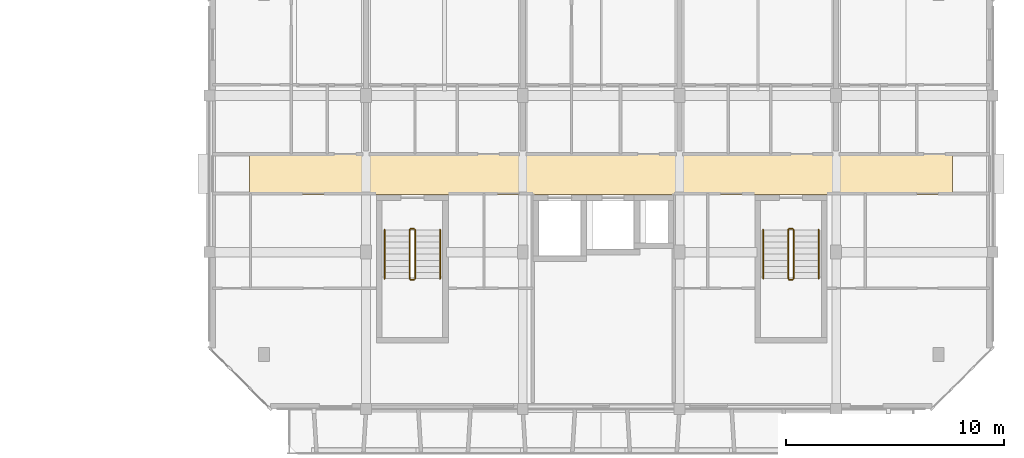
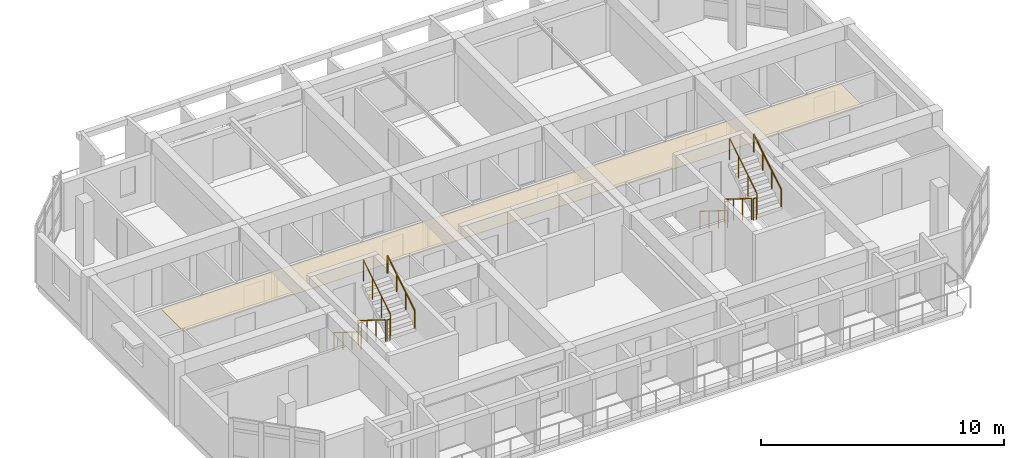
# One storey, part 43 of 44: 12 railings, 1 covering.
"""IFC4 building model written with IfcOpenShell, lengths in metres."""

from ifc_helpers import new_model, si_unit, direction, frame, origin, origin_2d, place, context, subcontext, project, spatial, polyline, circle, outline, extrude, material, layer, layer_set, type_object, element, save


model = new_model("IFC4")

# Units and contexts
model_context = context("Model", 3, precision=1e-05, world=origin(), true_north=direction((0.0, 1.0)))
body_context = subcontext(model_context, "Body", "Model", "MODEL_VIEW")
ifc_project = project(units=[si_unit("LENGTHUNIT", "METRE"), si_unit("AREAUNIT", "SQUARE_METRE"), si_unit("VOLUMEUNIT", "CUBIC_METRE"), si_unit("PLANEANGLEUNIT", "RADIAN"), si_unit("MASSUNIT", "GRAM", prefix="KILO")], contexts=[model_context])

# Site, building, storey
site_placement = place(None, origin())
site = spatial("IfcSite", under=ifc_project, at=site_placement, CompositionType="ELEMENT")
building_placement = place(site_placement, origin())
building = spatial("IfcBuilding", under=site, at=building_placement, Name="Ochrevale Crest", CompositionType="ELEMENT")
storey_placement = place(building_placement, frame((0.0, 0.0, 21.300048828125)))
storey = spatial("IfcBuildingStorey", under=building, at=storey_placement, Name="L06", CompositionType="ELEMENT", Elevation=21.300048828125)

# Covering
ifc_material_1 = material(Name="Gypsum plasterboard", Category="gypsum")
ifc_layer = layer(ifc_material_1, 0.02490234375)
ifc_layer_set = layer_set([ifc_layer], Name="Gypsum plasterboard")
covering_type = type_object("IfcCoveringType", Name="COV-CEIL-GYP", PredefinedType="CEILING", material=ifc_layer_set)
covering_placement = place(storey_placement, frame((0.0, 0.0, 2.280029296875)))
element("IfcCovering", 1, at=covering_placement, inside=storey, type_object=covering_type, Name="Block D L06 acoustic corridor ceiling", PredefinedType="CEILING", context=body_context, shape_type="SweptSolid", body=[
    extrude(outline(polyline([(131.449951171875, 81.860107421875), (163.75, 81.860107421875), (163.75, 83.739990234375), (131.449951171875, 83.739990234375), (131.449951171875, 81.860107421875)])), origin(), (0.0, 0.0, 1.0), 0.02490234375),
])

# Railings
ifc_material_2 = material(Name="Galvanised steel", Category="steel")
railing_type_1 = type_object("IfcRailingType", Name="RL-ST-GUARD", PredefinedType="BALUSTRADE", material=ifc_material_2)
railing_1_placement = place(storey_placement, frame((138.800048828125, 80.22509765625, 0.175048828125)))
element("IfcRailing", 2, at=railing_1_placement, inside=storey, type_object=railing_type_1, Name="L06 ST-D1 stair guard 1", PredefinedType="BALUSTRADE", context=body_context, shape_type="SweptSolid", body=[
    extrude(circle(Radius=0.02392578125, at=origin_2d()), frame((0.0, 0.0, 1.076171875), z_axis=(0.0, -0.848013881152, 0.529974015752), x_axis=(1.0, 0.0, 0.0)), (0.0, 0.0, 1.0), 2.641357421875),
    extrude(circle(Radius=0.02099609375, at=origin_2d()), origin(), (0.0, 0.0, 1.0), 1.052001953125),
    extrude(circle(Radius=0.02099609375, at=origin_2d()), frame((0.0, -0.74658203125, 0.466552734375)), (0.0, 0.0, 1.0), 1.052001953125),
    extrude(circle(Radius=0.02099609375, at=origin_2d()), frame((0.0, -1.493408203125, 0.933349609375)), (0.0, 0.0, 1.0), 1.052001953125),
    extrude(circle(Radius=0.02099609375, at=origin_2d()), frame((0.0, -2.239990234375, 1.39990234375)), (0.0, 0.0, 1.0), 1.052001953125),
])
railing_2_placement = place(storey_placement, frame((138.85009765625, 77.93505859375, 1.574951171875)))
element("IfcRailing", 3, at=railing_2_placement, inside=storey, type_object=railing_type_1, Name="L06 ST-D1 stair guard 2", PredefinedType="BALUSTRADE", context=body_context, shape_type="SweptSolid", body=[
    extrude(circle(Radius=0.02392578125, at=origin_2d()), frame((0.0, 0.0, 1.076171875), z_axis=(1.0, 0.0, 0.0), x_axis=(0.0, 1.0, 0.0)), (0.0, 0.0, 1.0), 0.14990234375),
    extrude(circle(Radius=0.02099609375, at=origin_2d()), origin(), (0.0, 0.0, 1.0), 1.052001953125),
    extrude(circle(Radius=0.02099609375, at=origin_2d()), frame((0.14990234375, 0.0, 0.0)), (0.0, 0.0, 1.0), 1.052001953125),
])
railing_3_placement = place(storey_placement, frame((139.050048828125, 77.985107421875, 1.75)))
element("IfcRailing", 4, at=railing_3_placement, inside=storey, type_object=railing_type_1, Name="L06 ST-D1 stair guard 3", PredefinedType="BALUSTRADE", context=body_context, shape_type="SweptSolid", body=[
    extrude(circle(Radius=0.02392578125, at=origin_2d()), frame((0.0, 0.0, 1.076171875), z_axis=(0.0, 0.848013881152, 0.529974015752), x_axis=(-1.0, 0.0, 0.0)), (0.0, 0.0, 1.0), 2.641357421875),
    extrude(circle(Radius=0.02099609375, at=origin_2d()), origin(), (0.0, 0.0, 1.0), 1.052001953125),
    extrude(circle(Radius=0.02099609375, at=origin_2d()), frame((0.0, 0.74658203125, 0.466552734375)), (0.0, 0.0, 1.0), 1.052001953125),
    extrude(circle(Radius=0.02099609375, at=origin_2d()), frame((0.0, 1.493408203125, 0.933349609375)), (0.0, 0.0, 1.0), 1.052001953125),
    extrude(circle(Radius=0.02099609375, at=origin_2d()), frame((0.0, 2.239990234375, 1.39990234375)), (0.0, 0.0, 1.0), 1.052001953125),
])
railing_4_placement = place(storey_placement, frame((138.85009765625, 80.27490234375, 0.0)))
element("IfcRailing", 5, at=railing_4_placement, inside=storey, type_object=railing_type_1, Name="L06 ST-D1 stair guard 4", PredefinedType="BALUSTRADE", context=body_context, shape_type="SweptSolid", body=[
    extrude(circle(Radius=0.02392578125, at=origin_2d()), frame((0.0, 0.0, 1.076171875), z_axis=(1.0, 0.0, 0.0), x_axis=(0.0, 1.0, 0.0)), (0.0, 0.0, 1.0), 0.14990234375),
    extrude(circle(Radius=0.02099609375, at=origin_2d()), origin(), (0.0, 0.0, 1.0), 1.052001953125),
    extrude(circle(Radius=0.02099609375, at=origin_2d()), frame((0.14990234375, 0.0, 0.0)), (0.0, 0.0, 1.0), 1.052001953125),
])
railing_5_placement = place(storey_placement, frame((156.199951171875, 80.22509765625, 0.175048828125)))
element("IfcRailing", 6, at=railing_5_placement, inside=storey, type_object=railing_type_1, Name="L06 ST-D2 stair guard 1", PredefinedType="BALUSTRADE", context=body_context, shape_type="SweptSolid", body=[
    extrude(circle(Radius=0.02392578125, at=origin_2d()), frame((0.0, 0.0, 1.076171875), z_axis=(0.0, -0.848013881152, 0.529974015752), x_axis=(1.0, 0.0, 0.0)), (0.0, 0.0, 1.0), 2.641357421875),
    extrude(circle(Radius=0.02099609375, at=origin_2d()), origin(), (0.0, 0.0, 1.0), 1.052001953125),
    extrude(circle(Radius=0.02099609375, at=origin_2d()), frame((0.0, -0.74658203125, 0.466552734375)), (0.0, 0.0, 1.0), 1.052001953125),
    extrude(circle(Radius=0.02099609375, at=origin_2d()), frame((0.0, -1.493408203125, 0.933349609375)), (0.0, 0.0, 1.0), 1.052001953125),
    extrude(circle(Radius=0.02099609375, at=origin_2d()), frame((0.0, -2.239990234375, 1.39990234375)), (0.0, 0.0, 1.0), 1.052001953125),
])
railing_6_placement = place(storey_placement, frame((156.25, 77.93505859375, 1.574951171875)))
element("IfcRailing", 7, at=railing_6_placement, inside=storey, type_object=railing_type_1, Name="L06 ST-D2 stair guard 2", PredefinedType="BALUSTRADE", context=body_context, shape_type="SweptSolid", body=[
    extrude(circle(Radius=0.02392578125, at=origin_2d()), frame((0.0, 0.0, 1.076171875), z_axis=(1.0, 0.0, 0.0), x_axis=(0.0, 1.0, 0.0)), (0.0, 0.0, 1.0), 0.14990234375),
    extrude(circle(Radius=0.02099609375, at=origin_2d()), origin(), (0.0, 0.0, 1.0), 1.052001953125),
    extrude(circle(Radius=0.02099609375, at=origin_2d()), frame((0.14990234375, 0.0, 0.0)), (0.0, 0.0, 1.0), 1.052001953125),
])
railing_7_placement = place(storey_placement, frame((156.449951171875, 77.985107421875, 1.75)))
element("IfcRailing", 8, at=railing_7_placement, inside=storey, type_object=railing_type_1, Name="L06 ST-D2 stair guard 3", PredefinedType="BALUSTRADE", context=body_context, shape_type="SweptSolid", body=[
    extrude(circle(Radius=0.02392578125, at=origin_2d()), frame((0.0, 0.0, 1.076171875), z_axis=(0.0, 0.848013881152, 0.529974015752), x_axis=(-1.0, 0.0, 0.0)), (0.0, 0.0, 1.0), 2.641357421875),
    extrude(circle(Radius=0.02099609375, at=origin_2d()), origin(), (0.0, 0.0, 1.0), 1.052001953125),
    extrude(circle(Radius=0.02099609375, at=origin_2d()), frame((0.0, 0.74658203125, 0.466552734375)), (0.0, 0.0, 1.0), 1.052001953125),
    extrude(circle(Radius=0.02099609375, at=origin_2d()), frame((0.0, 1.493408203125, 0.933349609375)), (0.0, 0.0, 1.0), 1.052001953125),
    extrude(circle(Radius=0.02099609375, at=origin_2d()), frame((0.0, 2.239990234375, 1.39990234375)), (0.0, 0.0, 1.0), 1.052001953125),
])
railing_8_placement = place(storey_placement, frame((156.25, 80.27490234375, 0.0)))
element("IfcRailing", 9, at=railing_8_placement, inside=storey, type_object=railing_type_1, Name="L06 ST-D2 stair guard 4", PredefinedType="BALUSTRADE", context=body_context, shape_type="SweptSolid", body=[
    extrude(circle(Radius=0.02392578125, at=origin_2d()), frame((0.0, 0.0, 1.076171875), z_axis=(1.0, 0.0, 0.0), x_axis=(0.0, 1.0, 0.0)), (0.0, 0.0, 1.0), 0.14990234375),
    extrude(circle(Radius=0.02099609375, at=origin_2d()), origin(), (0.0, 0.0, 1.0), 1.052001953125),
    extrude(circle(Radius=0.02099609375, at=origin_2d()), frame((0.14990234375, 0.0, 0.0)), (0.0, 0.0, 1.0), 1.052001953125),
])
ifc_material_3 = material(Name="Stainless steel", Category="steel")
railing_type_2 = type_object("IfcRailingType", Name="RL-ST-HRAIL", PredefinedType="HANDRAIL", material=ifc_material_3)
railing_9_placement = place(storey_placement, frame((137.64990234375, 80.22509765625, 0.175048828125)))
element("IfcRailing", 10, at=railing_9_placement, inside=storey, type_object=railing_type_2, Name="L06 ST-D1 stair handrail 1", PredefinedType="HANDRAIL", context=body_context, shape_type="SweptSolid", body=[
    extrude(circle(Radius=0.02392578125, at=origin_2d()), frame((0.0, 0.0, 0.8759765625), z_axis=(0.0, -0.848013881152, 0.529974015752), x_axis=(1.0, 0.0, 0.0)), (0.0, 0.0, 1.0), 2.641357421875),
    extrude(circle(Radius=0.02099609375, at=origin_2d()), origin(), (0.0, 0.0, 1.0), 0.851806640625),
    extrude(circle(Radius=0.02099609375, at=origin_2d()), frame((0.0, -0.74658203125, 0.466552734375)), (0.0, 0.0, 1.0), 0.851806640625),
    extrude(circle(Radius=0.02099609375, at=origin_2d()), frame((0.0, -1.493408203125, 0.933349609375)), (0.0, 0.0, 1.0), 0.851806640625),
    extrude(circle(Radius=0.02099609375, at=origin_2d()), frame((0.0, -2.239990234375, 1.39990234375)), (0.0, 0.0, 1.0), 0.851806640625),
])
railing_10_placement = place(storey_placement, frame((140.199951171875, 77.985107421875, 1.75)))
element("IfcRailing", 11, at=railing_10_placement, inside=storey, type_object=railing_type_2, Name="L06 ST-D1 stair handrail 2", PredefinedType="HANDRAIL", context=body_context, shape_type="SweptSolid", body=[
    extrude(circle(Radius=0.02392578125, at=origin_2d()), frame((0.0, 0.0, 0.8759765625), z_axis=(0.0, 0.848013881152, 0.529974015752), x_axis=(-1.0, 0.0, 0.0)), (0.0, 0.0, 1.0), 2.641357421875),
    extrude(circle(Radius=0.02099609375, at=origin_2d()), origin(), (0.0, 0.0, 1.0), 0.851806640625),
    extrude(circle(Radius=0.02099609375, at=origin_2d()), frame((0.0, 0.74658203125, 0.466552734375)), (0.0, 0.0, 1.0), 0.851806640625),
    extrude(circle(Radius=0.02099609375, at=origin_2d()), frame((0.0, 1.493408203125, 0.933349609375)), (0.0, 0.0, 1.0), 0.851806640625),
    extrude(circle(Radius=0.02099609375, at=origin_2d()), frame((0.0, 2.239990234375, 1.39990234375)), (0.0, 0.0, 1.0), 0.851806640625),
])
railing_11_placement = place(storey_placement, frame((155.050048828125, 80.22509765625, 0.175048828125)))
element("IfcRailing", 12, at=railing_11_placement, inside=storey, type_object=railing_type_2, Name="L06 ST-D2 stair handrail 1", PredefinedType="HANDRAIL", context=body_context, shape_type="SweptSolid", body=[
    extrude(circle(Radius=0.02392578125, at=origin_2d()), frame((0.0, 0.0, 0.8759765625), z_axis=(0.0, -0.848013881152, 0.529974015752), x_axis=(1.0, 0.0, 0.0)), (0.0, 0.0, 1.0), 2.641357421875),
    extrude(circle(Radius=0.02099609375, at=origin_2d()), origin(), (0.0, 0.0, 1.0), 0.851806640625),
    extrude(circle(Radius=0.02099609375, at=origin_2d()), frame((0.0, -0.74658203125, 0.466552734375)), (0.0, 0.0, 1.0), 0.851806640625),
    extrude(circle(Radius=0.02099609375, at=origin_2d()), frame((0.0, -1.493408203125, 0.933349609375)), (0.0, 0.0, 1.0), 0.851806640625),
    extrude(circle(Radius=0.02099609375, at=origin_2d()), frame((0.0, -2.239990234375, 1.39990234375)), (0.0, 0.0, 1.0), 0.851806640625),
])
railing_12_placement = place(storey_placement, frame((157.60009765625, 77.985107421875, 1.75)))
element("IfcRailing", 13, at=railing_12_placement, inside=storey, type_object=railing_type_2, Name="L06 ST-D2 stair handrail 2", PredefinedType="HANDRAIL", context=body_context, shape_type="SweptSolid", body=[
    extrude(circle(Radius=0.02392578125, at=origin_2d()), frame((0.0, 0.0, 0.8759765625), z_axis=(0.0, 0.848013881152, 0.529974015752), x_axis=(-1.0, 0.0, 0.0)), (0.0, 0.0, 1.0), 2.641357421875),
    extrude(circle(Radius=0.02099609375, at=origin_2d()), origin(), (0.0, 0.0, 1.0), 0.851806640625),
    extrude(circle(Radius=0.02099609375, at=origin_2d()), frame((0.0, 0.74658203125, 0.466552734375)), (0.0, 0.0, 1.0), 0.851806640625),
    extrude(circle(Radius=0.02099609375, at=origin_2d()), frame((0.0, 1.493408203125, 0.933349609375)), (0.0, 0.0, 1.0), 0.851806640625),
    extrude(circle(Radius=0.02099609375, at=origin_2d()), frame((0.0, 2.239990234375, 1.39990234375)), (0.0, 0.0, 1.0), 0.851806640625),
])

save(model, "model.ifc")
